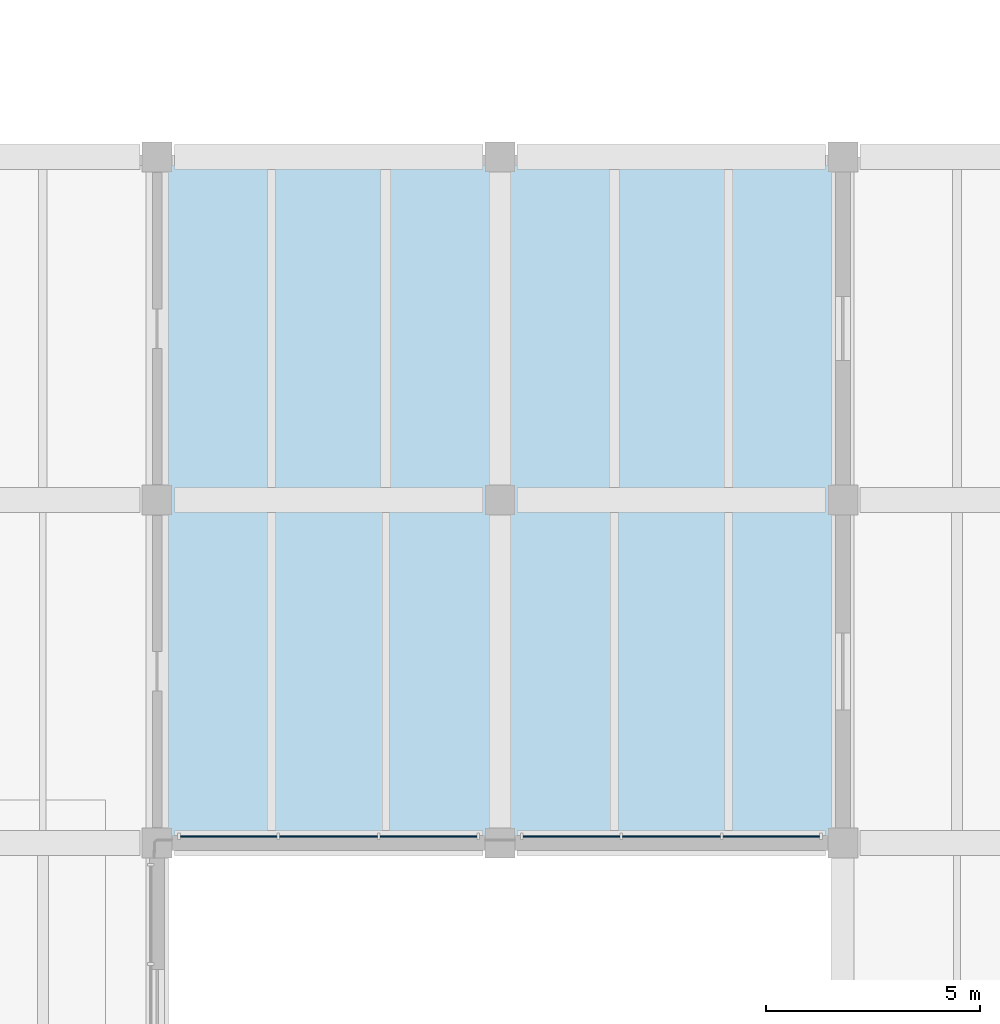
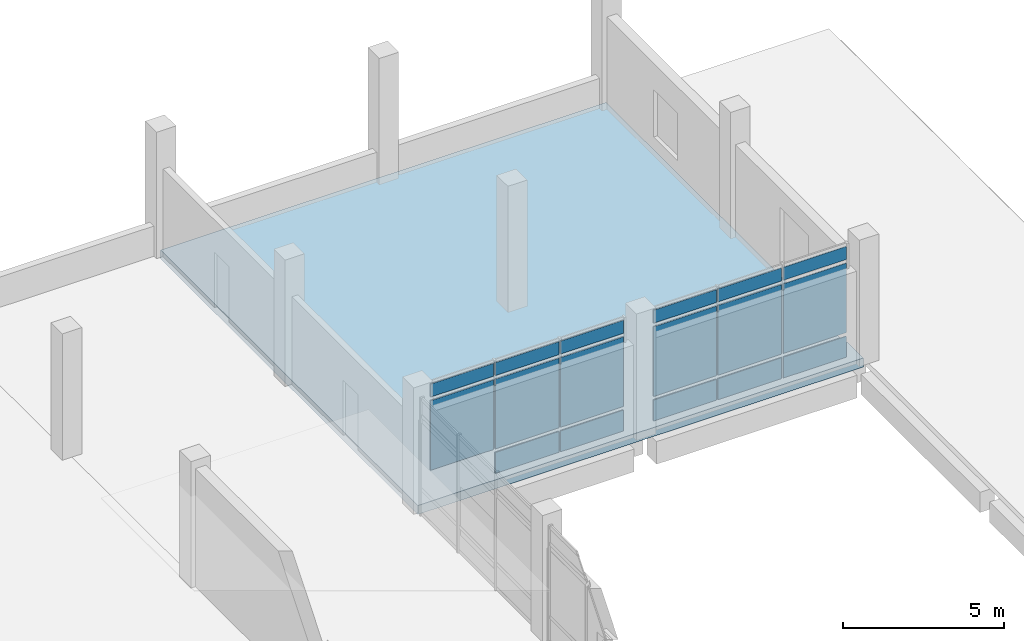
# One storey, part 27 of 52: 17 plates, 1 slab, 2 elements without a shape of their own.
"""IFC4 building model written with IfcOpenShell, lengths in metres."""

import ifcopenshell
import ifcopenshell.guid

model = None  # the IFC model being written
_history = None  # IfcOwnerHistory: only IFC2X3 demands one
_inside = {}  # id of a spatial element -> (the spatial element, [elements in it])
_under = {}  # id of a project, library or spatial element -> (it, [spatial elements below it])
_declared = {}  # id of a project -> (the project, [libraries it declares])
_typed = {}  # id of a type object -> (the type object, [elements of that type])
_made_of = {}  # id of a material, layer set ... -> (it, [elements and type objects made of it])


def new_model(schema):
    """Start an empty IFC model of exactly this schema.

    Asked for "IFC4X3", IfcOpenShell would pick the latest addendum, in which some entities
    have other attributes; the version numbers below select the first issue.
    IFC2X3 requires an IfcOwnerHistory on every rooted entity: one is made here for all.
    """
    global model, _history
    if schema == "IFC4X3":
        model = ifcopenshell.file(schema_version=(4, 3, 0, 0))
    else:
        model = ifcopenshell.file(schema=schema)
    _inside.clear()
    _under.clear()
    _declared.clear()
    _typed.clear()
    _made_of.clear()
    _history = None
    if model.schema == "IFC2X3":
        org = make("IfcOrganization", Name="unknown")
        user = make(
            "IfcPersonAndOrganization",
            ThePerson=make("IfcPerson", FamilyName="unknown"),
            TheOrganization=org,
        )
        app = make(
            "IfcApplication",
            ApplicationDeveloper=org,
            Version="unknown",
            ApplicationFullName="unknown",
            ApplicationIdentifier="unknown",
        )
        _history = make(
            "IfcOwnerHistory",
            OwningUser=user,
            OwningApplication=app,
            ChangeAction="ADDED",
            CreationDate=0,
        )
    return model


def make(cls, **values):
    """One entity of the class cls with the attributes given. An attribute that is None is left unset."""
    return model.create_entity(
        cls, **{name: value for name, value in values.items() if value is not None}
    )


def rooted(cls, **values):
    """An entity with a GlobalId (a new one), such as an element, a storey or a relation."""
    return make(cls, GlobalId=ifcopenshell.guid.new(), OwnerHistory=_history, **values)


def si_unit(unit_type, name, prefix=None):
    """IfcSIUnit, for example si_unit("LENGTHUNIT", "METRE", prefix="MILLI")."""
    return make("IfcSIUnit", UnitType=unit_type, Prefix=prefix, Name=name)


def assignment(units):
    """IfcUnitAssignment: the units of a project."""
    return None if units is None else make("IfcUnitAssignment", Units=units)


def point(xyz):
    """IfcCartesianPoint."""
    return None if xyz is None else make("IfcCartesianPoint", Coordinates=xyz)


def direction(xyz):
    """IfcDirection."""
    return None if xyz is None else make("IfcDirection", DirectionRatios=xyz)


def frame(location, z_axis=None, x_axis=None):
    """IfcAxis2Placement3D, a coordinate frame: its origin and axes. An axis left out is left unset."""
    return make(
        "IfcAxis2Placement3D",
        Location=point(location),
        Axis=direction(z_axis),
        RefDirection=direction(x_axis),
    )


def frame_2d(location, x_axis=None):
    """IfcAxis2Placement2D, a coordinate frame in the plane: its origin and x axis."""
    return make(
        "IfcAxis2Placement2D", Location=point(location), RefDirection=direction(x_axis)
    )


def origin():
    """The frame at (0, 0, 0) with its axes left unset."""
    return frame((0.0, 0.0, 0.0))


def origin_2d():
    """The frame at (0, 0) in the plane with its x axis left unset."""
    return frame_2d((0.0, 0.0))


def place(relative_to, where):
    """IfcLocalPlacement: puts the frame where relative to a parent placement (None: the world)."""
    return make(
        "IfcLocalPlacement", PlacementRelTo=relative_to, RelativePlacement=where
    )


def context(
    kind, dimensions, precision=None, world=None, true_north=None, identifier=None
):
    """IfcGeometricRepresentationContext, for example the 3D "Model" context."""
    return make(
        "IfcGeometricRepresentationContext",
        ContextIdentifier=identifier,
        ContextType=kind,
        CoordinateSpaceDimension=dimensions,
        Precision=precision,
        WorldCoordinateSystem=world,
        TrueNorth=true_north,
    )


def subcontext(parent, identifier, kind, view, scale=None):
    """IfcGeometricRepresentationSubContext, for example "Body" below "Model"."""
    return make(
        "IfcGeometricRepresentationSubContext",
        ContextIdentifier=identifier,
        ContextType=kind,
        ParentContext=parent,
        TargetScale=scale,
        TargetView=view,
    )


def project(units=None, contexts=None):
    """IfcProject with its units and contexts."""
    return rooted(
        "IfcProject",
        Name="project",
        RepresentationContexts=contexts,
        UnitsInContext=assignment(units),
    )


def spatial(cls, under=None, at=None, **own):
    """A site, building, storey or space (cls), placed at a placement, below another one or the project."""
    s = rooted(cls, ObjectPlacement=at, **own)
    if under is not None:
        _under.setdefault(under.id(), (under, []))[1].append(s)
    return s


def polyline(points):
    """IfcPolyline through the points."""
    return make("IfcPolyline", Points=[point(p) for p in points])


def profile(cls, at=None, kind="AREA", **sizes):
    """A parametric profile (cls). Its sizes go by their IFC names, for example OverallWidth=200.0."""
    return make(cls, ProfileType=kind, Position=at, **sizes)


def rectangle(**sizes):
    """IfcRectangleProfileDef."""
    return profile("IfcRectangleProfileDef", **sizes)


def outline(outer, holes=None, kind="AREA"):
    """IfcArbitraryClosedProfileDef: a profile drawn as a closed curve; with holes, ...WithVoids."""
    if holes is None:
        return make("IfcArbitraryClosedProfileDef", ProfileType=kind, OuterCurve=outer)
    return make(
        "IfcArbitraryProfileDefWithVoids",
        ProfileType=kind,
        OuterCurve=outer,
        InnerCurves=holes,
    )


def extrude(swept, where, along, depth):
    """IfcExtrudedAreaSolid: the profile swept, set in the frame where, extruded along a direction by depth."""
    return make(
        "IfcExtrudedAreaSolid",
        SweptArea=swept,
        Position=where,
        ExtrudedDirection=direction(along),
        Depth=depth,
    )


def shape(context_of_items, identifier, shape_type, items):
    """IfcShapeRepresentation: the items that make up one representation, for example the "Body"."""
    return make(
        "IfcShapeRepresentation",
        ContextOfItems=context_of_items,
        RepresentationIdentifier=identifier,
        RepresentationType=shape_type,
        Items=items,
    )


def material(Name=None, Category=None):
    """IfcMaterial."""
    return make("IfcMaterial", Name=Name, Category=Category)


def layer(
    of_material, thickness, ventilated=None, Name=None, Category=None, Priority=None
):
    """IfcMaterialLayer: one layer of a wall or slab, of a material (None: an air gap)."""
    return make(
        "IfcMaterialLayer",
        Material=of_material,
        LayerThickness=thickness,
        IsVentilated=ventilated,
        Name=Name,
        Category=Category,
        Priority=Priority,
    )


def layer_set(layers, Name=None):
    """IfcMaterialLayerSet."""
    return make("IfcMaterialLayerSet", MaterialLayers=layers, LayerSetName=Name)


def made_of(thing, what):
    """Note that an element or type object is made of a material, layer set ...; save() writes the relation."""
    if what is not None:
        _made_of.setdefault(what.id(), (what, []))[1].append(thing)
    return thing


def type_object(cls, material=None, **own):
    """A type object (cls), such as IfcWallType, which elements share."""
    return made_of(rooted(cls, **own), material)


def element(
    cls,
    number,
    at=None,
    inside=None,
    cuts=None,
    type_object=None,
    material=None,
    context=None,
    identifier="Body",
    shape_type=None,
    held_by="IfcProductDefinitionShape",
    body=None,
    shapes=None,
    **own,
):
    """One element of the class cls, such as IfcWall. Its Tag is "e" and its number.

    at: its placement. inside: the storey or other place that contains it. cuts: it is an
    opening in that element (IfcRelVoidsElement). A single representation is given by context,
    identifier, shape_type and body (its items); several are given by shapes. held_by: the class
    of the entity that holds the representations. save() writes the other relations.
    """
    e = rooted(cls, Tag="e%d" % number, ObjectPlacement=at, **own)
    if body is not None:
        shapes = [shape(context, identifier, shape_type, body)]
    if shapes is not None:
        e.Representation = make(held_by, Representations=shapes)
    if inside is not None:
        _inside.setdefault(inside.id(), (inside, []))[1].append(e)
    if cuts is not None:
        rooted(
            "IfcRelVoidsElement", RelatingBuildingElement=cuts, RelatedOpeningElement=e
        )
    if type_object is not None:
        _typed.setdefault(type_object.id(), (type_object, []))[1].append(e)
    return made_of(e, material)


def aggregate(whole, parts):
    """IfcRelAggregates: a whole, such as a stair, and the parts it consists of."""
    return rooted("IfcRelAggregates", RelatingObject=whole, RelatedObjects=parts)


def save(model, path):
    """Write the relations noted so far, then the file.

    IfcRelAggregates (storeys below a building ...), IfcRelContainedInSpatialStructure (elements
    in a storey), IfcRelDefinesByType, IfcRelAssociatesMaterial and IfcRelDeclares: one each for
    every whole, place, type object, material and project.
    """
    for whole, parts in _under.values():
        aggregate(whole, parts)
    for where, things in _inside.values():
        rooted(
            "IfcRelContainedInSpatialStructure",
            RelatedElements=things,
            RelatingStructure=where,
        )
    for kind, things in _typed.values():
        rooted("IfcRelDefinesByType", RelatedObjects=things, RelatingType=kind)
    for what, things in _made_of.values():
        rooted("IfcRelAssociatesMaterial", RelatedObjects=things, RelatingMaterial=what)
    for by, libraries in _declared.values():
        rooted("IfcRelDeclares", RelatingContext=by, RelatedDefinitions=libraries)
    model.write(path)


model = new_model("IFC4")

# Units and contexts
model_context = context("Model", 3, precision=1e-05, world=origin(), true_north=direction((0.0, 1.0)))
body_context = subcontext(model_context, "Body", "Model", "MODEL_VIEW")
ifc_project = project(units=[si_unit("LENGTHUNIT", "METRE"), si_unit("AREAUNIT", "SQUARE_METRE"), si_unit("VOLUMEUNIT", "CUBIC_METRE"), si_unit("PLANEANGLEUNIT", "RADIAN"), si_unit("MASSUNIT", "GRAM", prefix="KILO")], contexts=[model_context])

# Site, building, storey
site_placement = place(None, origin())
site = spatial("IfcSite", under=ifc_project, at=site_placement, CompositionType="ELEMENT")
building_placement = place(site_placement, origin())
building = spatial("IfcBuilding", under=site, at=building_placement, Name="Pecanmere Concourse Central Library", CompositionType="ELEMENT")
storey_placement = place(building_placement, frame((0.0, 0.0, 10.5)))
storey = spatial("IfcBuildingStorey", under=building, at=storey_placement, Name="L03", CompositionType="ELEMENT", Elevation=10.5)

# Curtain wall, plates
ifc_material_1 = material(Name="Clear anodized aluminium alloy 6063-T6", Category="aluminium")
curtain_wall_type = type_object("IfcCurtainWallType", Name="CW_CLOISTER_GLAZ", PredefinedType="USERDEFINED", material=ifc_material_1)
curtain_wall_1_placement = place(storey_placement, origin())
curtain_wall_1 = element("IfcCurtainWall", 1, at=curtain_wall_1_placement, inside=storey, type_object=curtain_wall_type, Name="Unitised Curtain Wall CW-04 L03-135", ObjectType="UNITISED CURTAIN WALL", PredefinedType="USERDEFINED")
ifc_material_2 = material(Name="White ceramic-fritted insulated spandrel glazing", Category="glass")
ifc_layer_1 = layer(ifc_material_2, 0.053955078125, Name="CWP_SPN_54")
ifc_layer_set_1 = layer_set([ifc_layer_1], Name="White ceramic-fritted insulated spandrel glazing")
plate_type_1 = type_object("IfcPlateType", Name="CWP_SPN_54", PredefinedType="CURTAIN_PANEL", material=ifc_layer_set_1)
plate_1_placement = place(storey_placement, frame((134.331787109375, 90.14990234375, 0.139892578125), z_axis=(0.0, 0.0, 1.0), x_axis=(-1.0, 0.0, 0.0)))
plate_1 = element("IfcPlate", 2, at=plate_1_placement, type_object=plate_type_1, Name="CW-04 Spandrel Panel 1.1", PredefinedType="CURTAIN_PANEL", context=body_context, shape_type="SweptSolid", body=[
    extrude(rectangle(XDim=2.256591796875, YDim=0.035888671875, at=origin_2d()), origin(), (0.0, 0.0, 1.0), 0.7900390625),
])
plate_2_placement = place(storey_placement, frame((132.0, 90.14990234375, 0.139892578125), z_axis=(0.0, 0.0, 1.0), x_axis=(-1.0, 0.0, 0.0)))
plate_2 = element("IfcPlate", 3, at=plate_2_placement, type_object=plate_type_1, Name="CW-04 Spandrel Panel 2.1", PredefinedType="CURTAIN_PANEL", context=body_context, shape_type="SweptSolid", body=[
    extrude(rectangle(XDim=2.28662109375, YDim=0.035888671875, at=origin_2d()), origin(), (0.0, 0.0, 1.0), 0.7900390625),
])

curtain_wall_2_placement = place(storey_placement, origin())
curtain_wall_2 = element("IfcCurtainWall", 4, at=curtain_wall_2_placement, inside=storey, type_object=curtain_wall_type, Name="Unitised Curtain Wall CW-04 L03-136", ObjectType="UNITISED CURTAIN WALL", PredefinedType="USERDEFINED")
plate_3_placement = place(storey_placement, frame((142.331787109375, 90.14990234375, 0.139892578125), z_axis=(0.0, 0.0, 1.0), x_axis=(-1.0, 0.0, 0.0)))
plate_3 = element("IfcPlate", 5, at=plate_3_placement, type_object=plate_type_1, Name="CW-04 Spandrel Panel 1.1", PredefinedType="CURTAIN_PANEL", context=body_context, shape_type="SweptSolid", body=[
    extrude(rectangle(XDim=2.256591796875, YDim=0.035888671875, at=origin_2d()), origin(), (0.0, 0.0, 1.0), 0.7900390625),
])
plate_4_placement = place(storey_placement, frame((140.0, 90.14990234375, 0.139892578125), z_axis=(0.0, 0.0, 1.0), x_axis=(-1.0, 0.0, 0.0)))
plate_4 = element("IfcPlate", 6, at=plate_4_placement, type_object=plate_type_1, Name="CW-04 Spandrel Panel 2.1", PredefinedType="CURTAIN_PANEL", context=body_context, shape_type="SweptSolid", body=[
    extrude(rectangle(XDim=2.28662109375, YDim=0.035888671875, at=origin_2d()), origin(), (0.0, 0.0, 1.0), 0.7900390625),
])
plate_5_placement = place(storey_placement, frame((137.668212890625, 90.14990234375, 0.139892578125), z_axis=(0.0, 0.0, 1.0), x_axis=(-1.0, 0.0, 0.0)))
plate_5 = element("IfcPlate", 7, at=plate_5_placement, type_object=plate_type_1, Name="CW-04 Spandrel Panel 3.1", PredefinedType="CURTAIN_PANEL", context=body_context, shape_type="SweptSolid", body=[
    extrude(rectangle(XDim=2.256591796875, YDim=0.035888671875, at=origin_2d()), origin(), (0.0, 0.0, 1.0), 0.7900390625),
])

# Plate
ifc_material_3 = material(Name="Low-iron clear insulated glazing", Category="glass")
ifc_layer_2 = layer(ifc_material_3, 0.035888671875, Name="CWP_VIS_36")
ifc_layer_set_2 = layer_set([ifc_layer_2], Name="Low-iron clear insulated glazing")
plate_type_2 = type_object("IfcPlateType", Name="CWP_VIS_36", PredefinedType="CURTAIN_PANEL", material=ifc_layer_set_2)
plate_6_placement = place(storey_placement, frame((134.331787109375, 90.14990234375, 1.06982421875), z_axis=(0.0, 0.0, 1.0), x_axis=(-1.0, 0.0, 0.0)))
plate_6 = element("IfcPlate", 8, at=plate_6_placement, type_object=plate_type_2, Name="CW-04 Vision Panel 1.2", PredefinedType="CURTAIN_PANEL", context=body_context, shape_type="SweptSolid", body=[
    extrude(rectangle(XDim=2.256591796875, YDim=0.035888671875, at=origin_2d()), origin(), (0.0, 0.0, 1.0), 2.639892578125),
])

plate_7_placement = place(storey_placement, frame((134.331787109375, 90.14990234375, 3.85009765625), z_axis=(0.0, 0.0, 1.0), x_axis=(-1.0, 0.0, 0.0)))
plate_7 = element("IfcPlate", 9, at=plate_7_placement, type_object=plate_type_2, Name="CW-04 Vision Panel 1.3", PredefinedType="CURTAIN_PANEL", context=body_context, shape_type="SweptSolid", body=[
    extrude(rectangle(XDim=2.256591796875, YDim=0.035888671875, at=origin_2d()), origin(), (0.0, 0.0, 1.0), 0.489990234375),
])

plate_8_placement = place(storey_placement, frame((132.0, 90.14990234375, 1.06982421875), z_axis=(0.0, 0.0, 1.0), x_axis=(-1.0, 0.0, 0.0)))
plate_8 = element("IfcPlate", 10, at=plate_8_placement, type_object=plate_type_2, Name="CW-04 Vision Panel 2.2", PredefinedType="CURTAIN_PANEL", context=body_context, shape_type="SweptSolid", body=[
    extrude(rectangle(XDim=2.28662109375, YDim=0.035888671875, at=origin_2d()), origin(), (0.0, 0.0, 1.0), 2.639892578125),
])

plate_9_placement = place(storey_placement, frame((132.0, 90.14990234375, 3.85009765625), z_axis=(0.0, 0.0, 1.0), x_axis=(-1.0, 0.0, 0.0)))
plate_9 = element("IfcPlate", 11, at=plate_9_placement, type_object=plate_type_2, Name="CW-04 Vision Panel 2.3", PredefinedType="CURTAIN_PANEL", context=body_context, shape_type="SweptSolid", body=[
    extrude(rectangle(XDim=2.28662109375, YDim=0.035888671875, at=origin_2d()), origin(), (0.0, 0.0, 1.0), 0.489990234375),
])

plate_10_placement = place(storey_placement, frame((129.668212890625, 90.14990234375, 1.06982421875), z_axis=(0.0, 0.0, 1.0), x_axis=(-1.0, 0.0, 0.0)))
plate_10 = element("IfcPlate", 12, at=plate_10_placement, type_object=plate_type_2, Name="CW-04 Vision Panel 3.2", PredefinedType="CURTAIN_PANEL", context=body_context, shape_type="SweptSolid", body=[
    extrude(rectangle(XDim=2.256591796875, YDim=0.035888671875, at=origin_2d()), origin(), (0.0, 0.0, 1.0), 2.639892578125),
])

plate_11_placement = place(storey_placement, frame((129.668212890625, 90.14990234375, 3.85009765625), z_axis=(0.0, 0.0, 1.0), x_axis=(-1.0, 0.0, 0.0)))
plate_11 = element("IfcPlate", 13, at=plate_11_placement, type_object=plate_type_2, Name="CW-04 Vision Panel 3.3", PredefinedType="CURTAIN_PANEL", context=body_context, shape_type="SweptSolid", body=[
    extrude(rectangle(XDim=2.256591796875, YDim=0.035888671875, at=origin_2d()), origin(), (0.0, 0.0, 1.0), 0.489990234375),
])

aggregate(curtain_wall_1, [plate_1, plate_6, plate_7, plate_2, plate_8, plate_9, plate_10, plate_11])

plate_12_placement = place(storey_placement, frame((142.331787109375, 90.14990234375, 1.06982421875), z_axis=(0.0, 0.0, 1.0), x_axis=(-1.0, 0.0, 0.0)))
plate_12 = element("IfcPlate", 14, at=plate_12_placement, type_object=plate_type_2, Name="CW-04 Vision Panel 1.2", PredefinedType="CURTAIN_PANEL", context=body_context, shape_type="SweptSolid", body=[
    extrude(rectangle(XDim=2.256591796875, YDim=0.035888671875, at=origin_2d()), origin(), (0.0, 0.0, 1.0), 2.639892578125),
])

plate_13_placement = place(storey_placement, frame((142.331787109375, 90.14990234375, 3.85009765625), z_axis=(0.0, 0.0, 1.0), x_axis=(-1.0, 0.0, 0.0)))
plate_13 = element("IfcPlate", 15, at=plate_13_placement, type_object=plate_type_2, Name="CW-04 Vision Panel 1.3", PredefinedType="CURTAIN_PANEL", context=body_context, shape_type="SweptSolid", body=[
    extrude(rectangle(XDim=2.256591796875, YDim=0.035888671875, at=origin_2d()), origin(), (0.0, 0.0, 1.0), 0.489990234375),
])

plate_14_placement = place(storey_placement, frame((140.0, 90.14990234375, 1.06982421875), z_axis=(0.0, 0.0, 1.0), x_axis=(-1.0, 0.0, 0.0)))
plate_14 = element("IfcPlate", 16, at=plate_14_placement, type_object=plate_type_2, Name="CW-04 Vision Panel 2.2", PredefinedType="CURTAIN_PANEL", context=body_context, shape_type="SweptSolid", body=[
    extrude(rectangle(XDim=2.28662109375, YDim=0.035888671875, at=origin_2d()), origin(), (0.0, 0.0, 1.0), 2.639892578125),
])

plate_15_placement = place(storey_placement, frame((140.0, 90.14990234375, 3.85009765625), z_axis=(0.0, 0.0, 1.0), x_axis=(-1.0, 0.0, 0.0)))
plate_15 = element("IfcPlate", 17, at=plate_15_placement, type_object=plate_type_2, Name="CW-04 Vision Panel 2.3", PredefinedType="CURTAIN_PANEL", context=body_context, shape_type="SweptSolid", body=[
    extrude(rectangle(XDim=2.28662109375, YDim=0.035888671875, at=origin_2d()), origin(), (0.0, 0.0, 1.0), 0.489990234375),
])

plate_16_placement = place(storey_placement, frame((137.668212890625, 90.14990234375, 1.06982421875), z_axis=(0.0, 0.0, 1.0), x_axis=(-1.0, 0.0, 0.0)))
plate_16 = element("IfcPlate", 18, at=plate_16_placement, type_object=plate_type_2, Name="CW-04 Vision Panel 3.2", PredefinedType="CURTAIN_PANEL", context=body_context, shape_type="SweptSolid", body=[
    extrude(rectangle(XDim=2.256591796875, YDim=0.035888671875, at=origin_2d()), origin(), (0.0, 0.0, 1.0), 2.639892578125),
])

plate_17_placement = place(storey_placement, frame((137.668212890625, 90.14990234375, 3.85009765625), z_axis=(0.0, 0.0, 1.0), x_axis=(-1.0, 0.0, 0.0)))
plate_17 = element("IfcPlate", 19, at=plate_17_placement, type_object=plate_type_2, Name="CW-04 Vision Panel 3.3", PredefinedType="CURTAIN_PANEL", context=body_context, shape_type="SweptSolid", body=[
    extrude(rectangle(XDim=2.256591796875, YDim=0.035888671875, at=origin_2d()), origin(), (0.0, 0.0, 1.0), 0.489990234375),
])

aggregate(curtain_wall_2, [plate_3, plate_12, plate_13, plate_4, plate_14, plate_15, plate_5, plate_16, plate_17])

# Slab
ifc_material_4 = material(Name="Concrete C35/45", Category="concrete")
ifc_layer_3 = layer(ifc_material_4, 0.340087890625, Name="SLAB_COMPACT_340")
ifc_layer_set_3 = layer_set([ifc_layer_3], Name="Concrete C35/45")
slab_type = type_object("IfcSlabType", Name="SLAB_COMPACT_340", PredefinedType="FLOOR", material=ifc_layer_set_3)
slab_placement = place(storey_placement, frame((0.0, 0.0, -0.340087890625)))
element("IfcSlab", 20, at=slab_placement, inside=storey, type_object=slab_type, Name="Floor Slab V2 L03-108", PredefinedType="FLOOR", context=body_context, shape_type="SweptSolid", body=[
    extrude(outline(polyline([(128.0, 106.0), (144.0, 106.0), (144.0, 91.60009765625), (143.919921875, 91.60009765625), (143.919921875, 91.0), (144.0, 91.0), (144.0, 90.0), (128.0, 90.0), (128.0, 106.0)])), origin(), (0.0, 0.0, 1.0), 0.340087890625),
])

save(model, "model.ifc")
